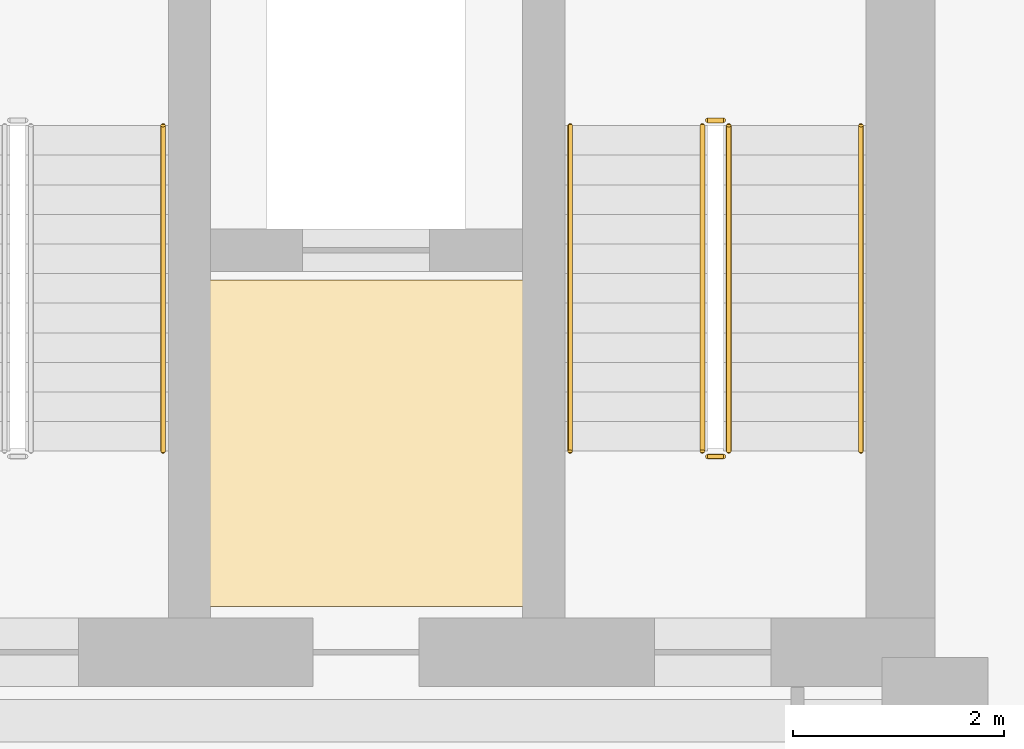
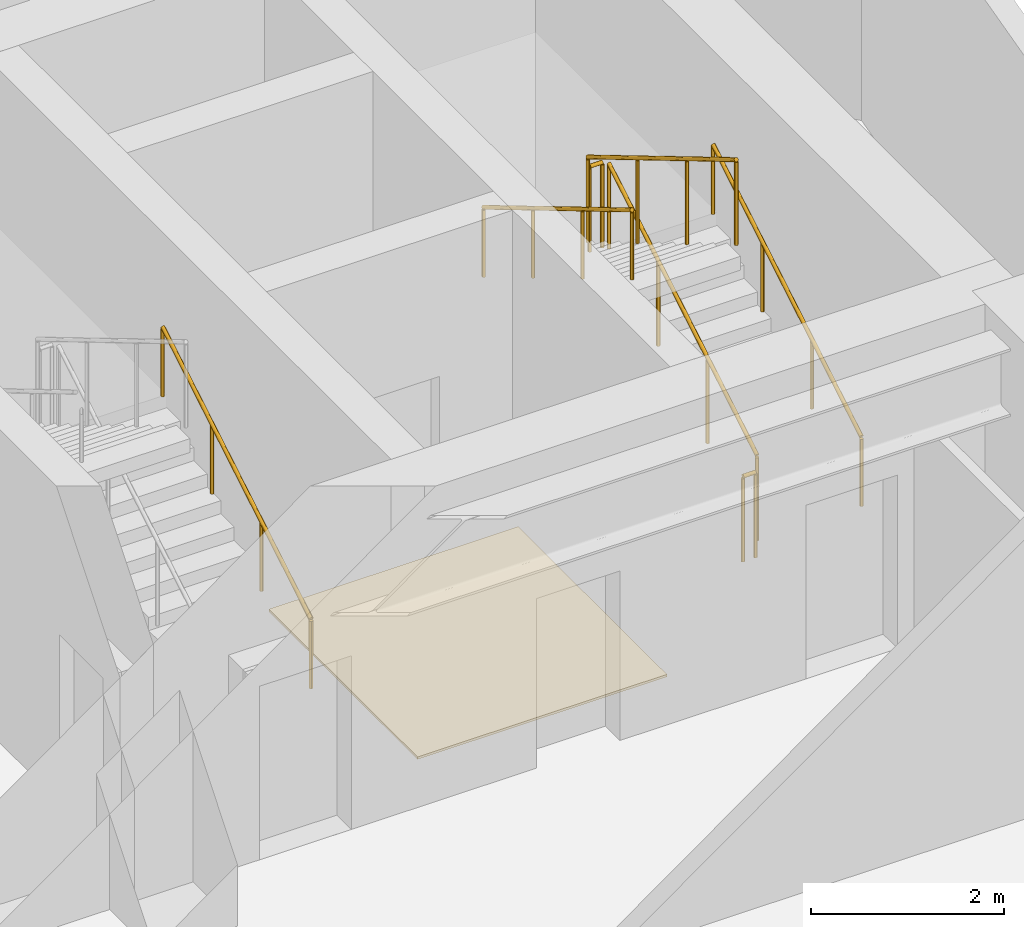
# One storey, part 20 of 20: 7 railings, 1 covering.
"""IFC4 building model written with IfcOpenShell, lengths in metres."""

import ifcopenshell
import ifcopenshell.guid

model = None  # the IFC model being written
_history = None  # IfcOwnerHistory: only IFC2X3 demands one
_inside = {}  # id of a spatial element -> (the spatial element, [elements in it])
_under = {}  # id of a project, library or spatial element -> (it, [spatial elements below it])
_declared = {}  # id of a project -> (the project, [libraries it declares])
_typed = {}  # id of a type object -> (the type object, [elements of that type])
_made_of = {}  # id of a material, layer set ... -> (it, [elements and type objects made of it])


def new_model(schema):
    """Start an empty IFC model of exactly this schema.

    Asked for "IFC4X3", IfcOpenShell would pick the latest addendum, in which some entities
    have other attributes; the version numbers below select the first issue.
    IFC2X3 requires an IfcOwnerHistory on every rooted entity: one is made here for all.
    """
    global model, _history
    if schema == "IFC4X3":
        model = ifcopenshell.file(schema_version=(4, 3, 0, 0))
    else:
        model = ifcopenshell.file(schema=schema)
    _inside.clear()
    _under.clear()
    _declared.clear()
    _typed.clear()
    _made_of.clear()
    _history = None
    if model.schema == "IFC2X3":
        org = make("IfcOrganization", Name="unknown")
        user = make(
            "IfcPersonAndOrganization",
            ThePerson=make("IfcPerson", FamilyName="unknown"),
            TheOrganization=org,
        )
        app = make(
            "IfcApplication",
            ApplicationDeveloper=org,
            Version="unknown",
            ApplicationFullName="unknown",
            ApplicationIdentifier="unknown",
        )
        _history = make(
            "IfcOwnerHistory",
            OwningUser=user,
            OwningApplication=app,
            ChangeAction="ADDED",
            CreationDate=0,
        )
    return model


def make(cls, **values):
    """One entity of the class cls with the attributes given. An attribute that is None is left unset."""
    return model.create_entity(
        cls, **{name: value for name, value in values.items() if value is not None}
    )


def rooted(cls, **values):
    """An entity with a GlobalId (a new one), such as an element, a storey or a relation."""
    return make(cls, GlobalId=ifcopenshell.guid.new(), OwnerHistory=_history, **values)


def si_unit(unit_type, name, prefix=None):
    """IfcSIUnit, for example si_unit("LENGTHUNIT", "METRE", prefix="MILLI")."""
    return make("IfcSIUnit", UnitType=unit_type, Prefix=prefix, Name=name)


def assignment(units):
    """IfcUnitAssignment: the units of a project."""
    return None if units is None else make("IfcUnitAssignment", Units=units)


def point(xyz):
    """IfcCartesianPoint."""
    return None if xyz is None else make("IfcCartesianPoint", Coordinates=xyz)


def direction(xyz):
    """IfcDirection."""
    return None if xyz is None else make("IfcDirection", DirectionRatios=xyz)


def frame(location, z_axis=None, x_axis=None):
    """IfcAxis2Placement3D, a coordinate frame: its origin and axes. An axis left out is left unset."""
    return make(
        "IfcAxis2Placement3D",
        Location=point(location),
        Axis=direction(z_axis),
        RefDirection=direction(x_axis),
    )


def frame_2d(location, x_axis=None):
    """IfcAxis2Placement2D, a coordinate frame in the plane: its origin and x axis."""
    return make(
        "IfcAxis2Placement2D", Location=point(location), RefDirection=direction(x_axis)
    )


def origin():
    """The frame at (0, 0, 0) with its axes left unset."""
    return frame((0.0, 0.0, 0.0))


def origin_2d():
    """The frame at (0, 0) in the plane with its x axis left unset."""
    return frame_2d((0.0, 0.0))


def place(relative_to, where):
    """IfcLocalPlacement: puts the frame where relative to a parent placement (None: the world)."""
    return make(
        "IfcLocalPlacement", PlacementRelTo=relative_to, RelativePlacement=where
    )


def context(
    kind, dimensions, precision=None, world=None, true_north=None, identifier=None
):
    """IfcGeometricRepresentationContext, for example the 3D "Model" context."""
    return make(
        "IfcGeometricRepresentationContext",
        ContextIdentifier=identifier,
        ContextType=kind,
        CoordinateSpaceDimension=dimensions,
        Precision=precision,
        WorldCoordinateSystem=world,
        TrueNorth=true_north,
    )


def subcontext(parent, identifier, kind, view, scale=None):
    """IfcGeometricRepresentationSubContext, for example "Body" below "Model"."""
    return make(
        "IfcGeometricRepresentationSubContext",
        ContextIdentifier=identifier,
        ContextType=kind,
        ParentContext=parent,
        TargetScale=scale,
        TargetView=view,
    )


def project(units=None, contexts=None):
    """IfcProject with its units and contexts."""
    return rooted(
        "IfcProject",
        Name="project",
        RepresentationContexts=contexts,
        UnitsInContext=assignment(units),
    )


def spatial(cls, under=None, at=None, **own):
    """A site, building, storey or space (cls), placed at a placement, below another one or the project."""
    s = rooted(cls, ObjectPlacement=at, **own)
    if under is not None:
        _under.setdefault(under.id(), (under, []))[1].append(s)
    return s


def polyline(points):
    """IfcPolyline through the points."""
    return make("IfcPolyline", Points=[point(p) for p in points])


def profile(cls, at=None, kind="AREA", **sizes):
    """A parametric profile (cls). Its sizes go by their IFC names, for example OverallWidth=200.0."""
    return make(cls, ProfileType=kind, Position=at, **sizes)


def circle(**sizes):
    """IfcCircleProfileDef."""
    return profile("IfcCircleProfileDef", **sizes)


def outline(outer, holes=None, kind="AREA"):
    """IfcArbitraryClosedProfileDef: a profile drawn as a closed curve; with holes, ...WithVoids."""
    if holes is None:
        return make("IfcArbitraryClosedProfileDef", ProfileType=kind, OuterCurve=outer)
    return make(
        "IfcArbitraryProfileDefWithVoids",
        ProfileType=kind,
        OuterCurve=outer,
        InnerCurves=holes,
    )


def extrude(swept, where, along, depth):
    """IfcExtrudedAreaSolid: the profile swept, set in the frame where, extruded along a direction by depth."""
    return make(
        "IfcExtrudedAreaSolid",
        SweptArea=swept,
        Position=where,
        ExtrudedDirection=direction(along),
        Depth=depth,
    )


def shape(context_of_items, identifier, shape_type, items):
    """IfcShapeRepresentation: the items that make up one representation, for example the "Body"."""
    return make(
        "IfcShapeRepresentation",
        ContextOfItems=context_of_items,
        RepresentationIdentifier=identifier,
        RepresentationType=shape_type,
        Items=items,
    )


def material(Name=None, Category=None):
    """IfcMaterial."""
    return make("IfcMaterial", Name=Name, Category=Category)


def layer(
    of_material, thickness, ventilated=None, Name=None, Category=None, Priority=None
):
    """IfcMaterialLayer: one layer of a wall or slab, of a material (None: an air gap)."""
    return make(
        "IfcMaterialLayer",
        Material=of_material,
        LayerThickness=thickness,
        IsVentilated=ventilated,
        Name=Name,
        Category=Category,
        Priority=Priority,
    )


def layer_set(layers, Name=None):
    """IfcMaterialLayerSet."""
    return make("IfcMaterialLayerSet", MaterialLayers=layers, LayerSetName=Name)


def made_of(thing, what):
    """Note that an element or type object is made of a material, layer set ...; save() writes the relation."""
    if what is not None:
        _made_of.setdefault(what.id(), (what, []))[1].append(thing)
    return thing


def type_object(cls, material=None, **own):
    """A type object (cls), such as IfcWallType, which elements share."""
    return made_of(rooted(cls, **own), material)


def element(
    cls,
    number,
    at=None,
    inside=None,
    cuts=None,
    type_object=None,
    material=None,
    context=None,
    identifier="Body",
    shape_type=None,
    held_by="IfcProductDefinitionShape",
    body=None,
    shapes=None,
    **own,
):
    """One element of the class cls, such as IfcWall. Its Tag is "e" and its number.

    at: its placement. inside: the storey or other place that contains it. cuts: it is an
    opening in that element (IfcRelVoidsElement). A single representation is given by context,
    identifier, shape_type and body (its items); several are given by shapes. held_by: the class
    of the entity that holds the representations. save() writes the other relations.
    """
    e = rooted(cls, Tag="e%d" % number, ObjectPlacement=at, **own)
    if body is not None:
        shapes = [shape(context, identifier, shape_type, body)]
    if shapes is not None:
        e.Representation = make(held_by, Representations=shapes)
    if inside is not None:
        _inside.setdefault(inside.id(), (inside, []))[1].append(e)
    if cuts is not None:
        rooted(
            "IfcRelVoidsElement", RelatingBuildingElement=cuts, RelatedOpeningElement=e
        )
    if type_object is not None:
        _typed.setdefault(type_object.id(), (type_object, []))[1].append(e)
    return made_of(e, material)


def aggregate(whole, parts):
    """IfcRelAggregates: a whole, such as a stair, and the parts it consists of."""
    return rooted("IfcRelAggregates", RelatingObject=whole, RelatedObjects=parts)


def save(model, path):
    """Write the relations noted so far, then the file.

    IfcRelAggregates (storeys below a building ...), IfcRelContainedInSpatialStructure (elements
    in a storey), IfcRelDefinesByType, IfcRelAssociatesMaterial and IfcRelDeclares: one each for
    every whole, place, type object, material and project.
    """
    for whole, parts in _under.values():
        aggregate(whole, parts)
    for where, things in _inside.values():
        rooted(
            "IfcRelContainedInSpatialStructure",
            RelatedElements=things,
            RelatingStructure=where,
        )
    for kind, things in _typed.values():
        rooted("IfcRelDefinesByType", RelatedObjects=things, RelatingType=kind)
    for what, things in _made_of.values():
        rooted("IfcRelAssociatesMaterial", RelatedObjects=things, RelatingMaterial=what)
    for by, libraries in _declared.values():
        rooted("IfcRelDeclares", RelatingContext=by, RelatedDefinitions=libraries)
    model.write(path)


model = new_model("IFC4")

# Units and contexts
model_context = context("Model", 3, precision=1e-05, world=origin(), true_north=direction((0.0, 1.0)))
body_context = subcontext(model_context, "Body", "Model", "MODEL_VIEW")
ifc_project = project(units=[si_unit("LENGTHUNIT", "METRE"), si_unit("AREAUNIT", "SQUARE_METRE"), si_unit("VOLUMEUNIT", "CUBIC_METRE"), si_unit("PLANEANGLEUNIT", "RADIAN"), si_unit("MASSUNIT", "GRAM", prefix="KILO")], contexts=[model_context])

# Site, building, storey
site_placement = place(None, origin())
site = spatial("IfcSite", under=ifc_project, at=site_placement, CompositionType="ELEMENT")
building_placement = place(site_placement, origin())
building = spatial("IfcBuilding", under=site, at=building_placement, Name="Kravanh Interchange Tower", CompositionType="ELEMENT")
storey_placement = place(building_placement, frame((0.0, 0.0, 104.0)))
storey = spatial("IfcBuildingStorey", under=building, at=storey_placement, Name="L24", CompositionType="ELEMENT", Elevation=104.0)

# Covering
ifc_material_1 = material(Name="Cementitious Terrazzo Tile")
ifc_layer_1 = layer(ifc_material_1, 0.030029296875)
ifc_layer_set_1 = layer_set([ifc_layer_1], Name="Honed Terrazzo Lobby Flooring 30mm")
covering_type = type_object("IfcCoveringType", Name="Honed Terrazzo Lobby Flooring 30mm", PredefinedType="FLOORING", material=ifc_layer_set_1)
covering_placement = place(storey_placement, origin())
element("IfcCovering", 1, at=covering_placement, inside=storey, type_object=covering_type, Name="L24 Service Lift Lobby Floor Finish", PredefinedType="FLOORING", context=body_context, shape_type="SweptSolid", body=[
    extrude(outline(polyline([(59.6298828125, 41.52001953125), (62.6201171875, 41.52001953125), (62.6201171875, 38.429931640625), (59.6298828125, 38.429931640625), (59.6298828125, 41.52001953125)])), origin(), (0.0, 0.0, 1.0), 0.030029296875),
])

# Railings
ifc_material_2 = material(Name="Structural Steel S355", Category="steel")
ifc_layer_2 = layer(ifc_material_2, 0.050048828125)
ifc_layer_set_2 = layer_set([ifc_layer_2], Name="Stair Well Guardrail Structural Steel S355 1100mm")
railing_type_1 = type_object("IfcRailingType", Name="Stair Well Guardrail Structural Steel S355 1100mm", PredefinedType="GUARDRAIL", material=ifc_layer_set_2)
railing_1_placement = place(storey_placement, frame((64.550048828125, 39.89990234375, 0.166748046875)))
element("IfcRailing", 2, at=railing_1_placement, inside=storey, type_object=railing_type_1, Name="L24 ST1 stair guard 1", PredefinedType="GUARDRAIL", context=body_context, shape_type="SweptSolid", body=[
    extrude(circle(Radius=0.02392578125, at=origin_2d()), frame((0.0, 0.0, 1.076171875), z_axis=(0.0, 0.859308565015, 0.511457515432), x_axis=(-1.0, 0.0, 0.0)), (0.0, 0.0, 1.0), 3.58447265625),
    extrude(circle(Radius=0.02099609375, at=origin_2d()), origin(), (0.0, 0.0, 1.0), 1.052001953125),
    extrude(circle(Radius=0.02099609375, at=origin_2d()), frame((0.0, 1.026611328125, 0.611083984375)), (0.0, 0.0, 1.0), 1.052001953125),
    extrude(circle(Radius=0.02099609375, at=origin_2d()), frame((0.0, 2.053466796875, 1.22216796875)), (0.0, 0.0, 1.0), 1.052001953125),
    extrude(circle(Radius=0.02099609375, at=origin_2d()), frame((0.0, 3.080078125, 1.833251953125)), (0.0, 0.0, 1.0), 1.052001953125),
])
railing_2_placement = place(storey_placement, frame((64.5, 43.030029296875, 2.0)))
element("IfcRailing", 3, at=railing_2_placement, inside=storey, type_object=railing_type_1, Name="L24 ST1 stair guard 2", PredefinedType="GUARDRAIL", context=body_context, shape_type="SweptSolid", body=[
    extrude(circle(Radius=0.02392578125, at=origin_2d()), frame((0.0, 0.0, 1.076171875), z_axis=(-1.0, 0.0, 0.0), x_axis=(0.0, -1.0, 0.0)), (0.0, 0.0, 1.0), 0.14990234375),
    extrude(circle(Radius=0.02099609375, at=origin_2d()), origin(), (0.0, 0.0, 1.0), 1.052001953125),
    extrude(circle(Radius=0.02099609375, at=origin_2d()), frame((-0.14990234375, 0.0, 0.0)), (0.0, 0.0, 1.0), 1.052001953125),
])
railing_3_placement = place(storey_placement, frame((64.300048828125, 42.97998046875, 2.166748046875)))
element("IfcRailing", 4, at=railing_3_placement, inside=storey, type_object=railing_type_1, Name="L24 ST1 stair guard 3", PredefinedType="GUARDRAIL", context=body_context, shape_type="SweptSolid", body=[
    extrude(circle(Radius=0.02392578125, at=origin_2d()), frame((0.0, 0.0, 1.076171875), z_axis=(0.0, -0.859308565015, 0.511457515432), x_axis=(1.0, 0.0, 0.0)), (0.0, 0.0, 1.0), 3.58447265625),
    extrude(circle(Radius=0.02099609375, at=origin_2d()), origin(), (0.0, 0.0, 1.0), 1.052001953125),
    extrude(circle(Radius=0.02099609375, at=origin_2d()), frame((0.0, -1.026611328125, 0.611083984375)), (0.0, 0.0, 1.0), 1.052001953125),
    extrude(circle(Radius=0.02099609375, at=origin_2d()), frame((0.0, -2.053466796875, 1.22216796875)), (0.0, 0.0, 1.0), 1.052001953125),
    extrude(circle(Radius=0.02099609375, at=origin_2d()), frame((0.0, -3.080078125, 1.833251953125)), (0.0, 0.0, 1.0), 1.052001953125),
])
railing_4_placement = place(storey_placement, frame((64.5, 39.85009765625, 0.0)))
element("IfcRailing", 5, at=railing_4_placement, inside=storey, type_object=railing_type_1, Name="L24 ST1 stair guard 4", PredefinedType="GUARDRAIL", context=body_context, shape_type="SweptSolid", body=[
    extrude(circle(Radius=0.02392578125, at=origin_2d()), frame((0.0, 0.0, 1.076171875), z_axis=(-1.0, 0.0, 0.0), x_axis=(0.0, -1.0, 0.0)), (0.0, 0.0, 1.0), 0.14990234375),
    extrude(circle(Radius=0.02099609375, at=origin_2d()), origin(), (0.0, 0.0, 1.0), 1.052001953125),
    extrude(circle(Radius=0.02099609375, at=origin_2d()), frame((-0.14990234375, 0.0, 0.0)), (0.0, 0.0, 1.0), 1.052001953125),
])
ifc_material_3 = material(Name="Stainless Steel 304", Category="steel")
ifc_layer_3 = layer(ifc_material_3, 0.044921875)
ifc_layer_set_3 = layer_set([ifc_layer_3], Name="Tubular Stair Handrail Stainless 304 900mm")
railing_type_2 = type_object("IfcRailingType", Name="Tubular Stair Handrail Stainless 304 900mm", PredefinedType="HANDRAIL", material=ifc_layer_set_3)
railing_5_placement = place(storey_placement, frame((65.800048828125, 39.89990234375, 0.166748046875)))
element("IfcRailing", 6, at=railing_5_placement, inside=storey, type_object=railing_type_2, Name="L24 ST1 stair handrail 1", PredefinedType="HANDRAIL", context=body_context, shape_type="SweptSolid", body=[
    extrude(circle(Radius=0.02392578125, at=origin_2d()), frame((0.0, 0.0, 0.8759765625), z_axis=(0.0, 0.859308565015, 0.511457515432), x_axis=(-1.0, 0.0, 0.0)), (0.0, 0.0, 1.0), 3.58447265625),
    extrude(circle(Radius=0.02099609375, at=origin_2d()), origin(), (0.0, 0.0, 1.0), 0.851806640625),
    extrude(circle(Radius=0.02099609375, at=origin_2d()), frame((0.0, 1.026611328125, 0.611083984375)), (0.0, 0.0, 1.0), 0.851806640625),
    extrude(circle(Radius=0.02099609375, at=origin_2d()), frame((0.0, 2.053466796875, 1.22216796875)), (0.0, 0.0, 1.0), 0.851806640625),
    extrude(circle(Radius=0.02099609375, at=origin_2d()), frame((0.0, 3.080078125, 1.833251953125)), (0.0, 0.0, 1.0), 0.851806640625),
])
railing_6_placement = place(storey_placement, frame((63.050048828125, 42.97998046875, 2.166748046875)))
element("IfcRailing", 7, at=railing_6_placement, inside=storey, type_object=railing_type_2, Name="L24 ST1 stair handrail 2", PredefinedType="HANDRAIL", context=body_context, shape_type="SweptSolid", body=[
    extrude(circle(Radius=0.02392578125, at=origin_2d()), frame((0.0, 0.0, 0.8759765625), z_axis=(0.0, -0.859308565015, 0.511457515432), x_axis=(1.0, 0.0, 0.0)), (0.0, 0.0, 1.0), 3.58447265625),
    extrude(circle(Radius=0.02099609375, at=origin_2d()), origin(), (0.0, 0.0, 1.0), 0.851806640625),
    extrude(circle(Radius=0.02099609375, at=origin_2d()), frame((0.0, -1.026611328125, 0.611083984375)), (0.0, 0.0, 1.0), 0.851806640625),
    extrude(circle(Radius=0.02099609375, at=origin_2d()), frame((0.0, -2.053466796875, 1.22216796875)), (0.0, 0.0, 1.0), 0.851806640625),
    extrude(circle(Radius=0.02099609375, at=origin_2d()), frame((0.0, -3.080078125, 1.833251953125)), (0.0, 0.0, 1.0), 0.851806640625),
])
railing_7_placement = place(storey_placement, frame((59.199951171875, 39.89990234375, 0.166748046875)))
element("IfcRailing", 8, at=railing_7_placement, inside=storey, type_object=railing_type_2, Name="L24 ST2 stair handrail 1", PredefinedType="HANDRAIL", context=body_context, shape_type="SweptSolid", body=[
    extrude(circle(Radius=0.02392578125, at=origin_2d()), frame((0.0, 0.0, 0.8759765625), z_axis=(0.0, 0.859308565015, 0.511457515432), x_axis=(-1.0, 0.0, 0.0)), (0.0, 0.0, 1.0), 3.58447265625),
    extrude(circle(Radius=0.02099609375, at=origin_2d()), origin(), (0.0, 0.0, 1.0), 0.851806640625),
    extrude(circle(Radius=0.02099609375, at=origin_2d()), frame((0.0, 1.026611328125, 0.611083984375)), (0.0, 0.0, 1.0), 0.851806640625),
    extrude(circle(Radius=0.02099609375, at=origin_2d()), frame((0.0, 2.053466796875, 1.22216796875)), (0.0, 0.0, 1.0), 0.851806640625),
    extrude(circle(Radius=0.02099609375, at=origin_2d()), frame((0.0, 3.080078125, 1.833251953125)), (0.0, 0.0, 1.0), 0.851806640625),
])

save(model, "model.ifc")
